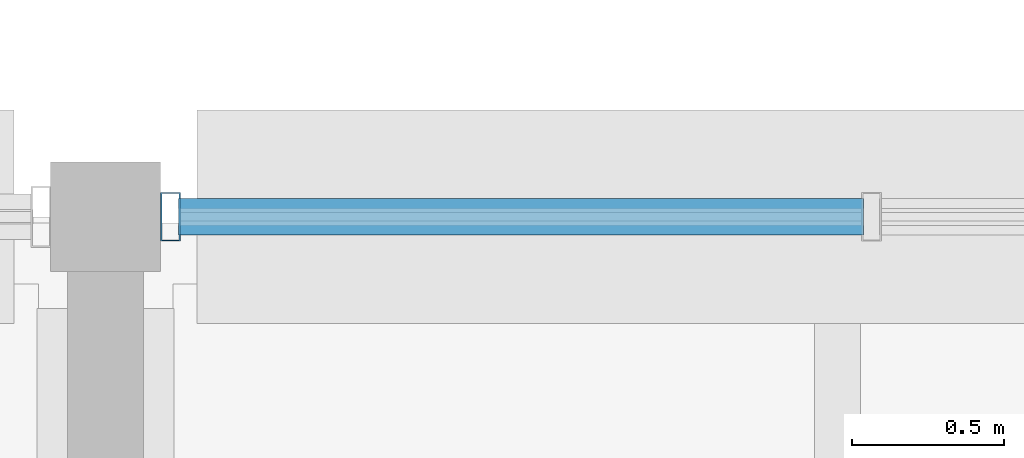
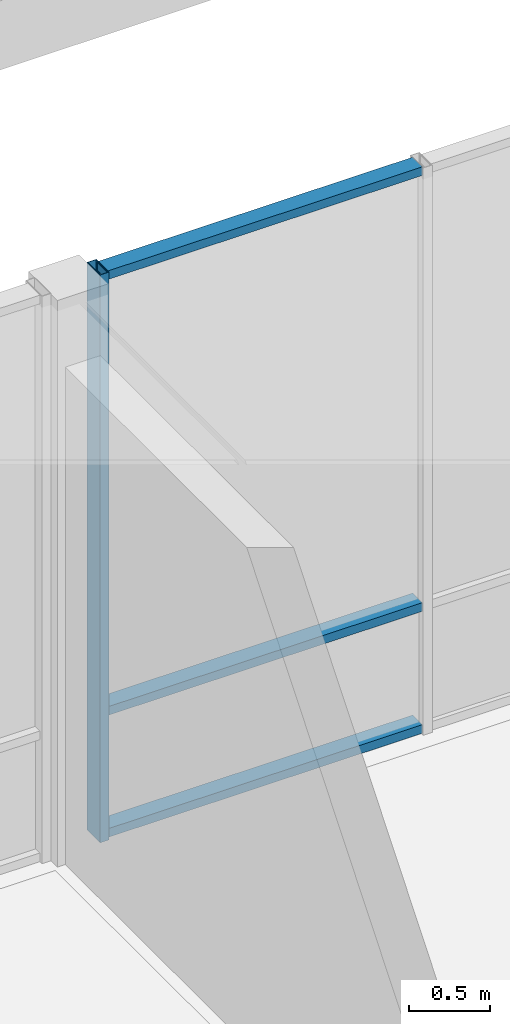
# One storey, part 59 of 146: 4 members, 1 element without a shape of its own.
"""IFC4 building model written with IfcOpenShell, lengths in metres."""

from ifc_helpers import new_model, si_unit, direction, frame, origin, origin_2d, place, context, subcontext, project, spatial, hollow_rectangle, extrude, material, material_profile, profile_set, type_object, element, aggregate, save


model = new_model("IFC4")

# Units and contexts
model_context = context("Model", 3, precision=1e-05, world=origin(), true_north=direction((0.0, 1.0)))
body_context = subcontext(model_context, "Body", "Model", "MODEL_VIEW")
ifc_project = project(units=[si_unit("LENGTHUNIT", "METRE"), si_unit("AREAUNIT", "SQUARE_METRE"), si_unit("VOLUMEUNIT", "CUBIC_METRE"), si_unit("PLANEANGLEUNIT", "RADIAN"), si_unit("MASSUNIT", "GRAM", prefix="KILO")], contexts=[model_context])

# Site, building, storey
site_placement = place(None, origin())
site = spatial("IfcSite", under=ifc_project, at=site_placement, CompositionType="ELEMENT")
building_placement = place(site_placement, origin())
building = spatial("IfcBuilding", under=site, at=building_placement, Name="Hawrajan Terrace Health Centre", CompositionType="ELEMENT")
storey_placement = place(building_placement, frame((0.0, 0.0, 4.5)))
storey = spatial("IfcBuildingStorey", under=building, at=storey_placement, Name="L01", CompositionType="ELEMENT", Elevation=4.5)

# Curtain wall, members
ifc_material_1 = material(Name="Anodized bronze aluminium and low-E solar glazing", Category="aluminium")
curtain_wall_type = type_object("IfcCurtainWallType", Name="CW_Terrace_SeriesK1", PredefinedType="USERDEFINED", material=ifc_material_1)
curtain_wall_placement = place(storey_placement, origin())
curtain_wall = element("IfcCurtainWall", 1, at=curtain_wall_placement, inside=storey, type_object=curtain_wall_type, Name="Curtain wall CW-L01-093", ObjectType="UNITISED CURTAIN WALL", PredefinedType="USERDEFINED")
ifc_material_2 = material(Name="Anodized bronze aluminium 6063-T6", Category="aluminium")
ifc_material_profile_1 = material_profile(ifc_material_2, hollow_rectangle(XDim=0.06494140625, YDim=0.159912109375, WallThickness=0.00390625, at=origin_2d()), Name="CW MUL 65x160")
ifc_profile_set_1 = profile_set([ifc_material_profile_1], Name="Anodized bronze aluminium 6063-T6")
member_type_1 = type_object("IfcMemberType", Name="CWMullion_65x160", PredefinedType="MULLION", material=ifc_profile_set_1)
member_1_placement = place(storey_placement, frame((81.612548828125, 18.60009765625, -0.0048828125), z_axis=(0.0, 0.0, 1.0), x_axis=(1.0, 0.0, 0.0)))
member_1 = element("IfcMember", 2, at=member_1_placement, type_object=member_type_1, Name="Mullion CW-L01-093-M1", PredefinedType="MULLION", context=body_context, shape_type="SweptSolid", body=[
    extrude(hollow_rectangle(XDim=0.06494140625, YDim=0.159912109375, WallThickness=0.00390625, at=origin_2d()), origin(), (0.0, 0.0, 1.0), 4.269775390625),
])
ifc_material_profile_2 = material_profile(ifc_material_2, hollow_rectangle(XDim=0.06494140625, YDim=0.1201171875, WallThickness=0.00341796875, at=origin_2d()), Name="CW TRN 65x120")
ifc_profile_set_2 = profile_set([ifc_material_profile_2], Name="Anodized bronze aluminium 6063-T6")
member_type_2 = type_object("IfcMemberType", Name="CWTransom_65x120", PredefinedType="USERDEFINED", material=ifc_profile_set_2)
member_2_placement = place(storey_placement, frame((81.638916015625, 18.60009765625, 0.032470703125), z_axis=(1.0, 0.0, 0.0), x_axis=(0.0, 0.0, 1.0)))
member_2 = element("IfcMember", 3, at=member_2_placement, type_object=member_type_2, Name="Transom CW-L01-093-T1-1", ObjectType="TRANSOM", PredefinedType="USERDEFINED", context=body_context, shape_type="SweptSolid", body=[
    extrude(hollow_rectangle(XDim=0.06494140625, YDim=0.1201171875, WallThickness=0.00341796875, at=origin_2d()), origin(), (0.0, 0.0, 1.0), 2.245849609375),
])
member_3_placement = place(storey_placement, frame((81.638916015625, 18.60009765625, 0.949951171875), z_axis=(1.0, 0.0, 0.0), x_axis=(0.0, 0.0, 1.0)))
member_3 = element("IfcMember", 4, at=member_3_placement, type_object=member_type_2, Name="Transom CW-L01-093-T1-2", ObjectType="TRANSOM", PredefinedType="USERDEFINED", context=body_context, shape_type="SweptSolid", body=[
    extrude(hollow_rectangle(XDim=0.06494140625, YDim=0.1201171875, WallThickness=0.00341796875, at=origin_2d()), origin(), (0.0, 0.0, 1.0), 2.245849609375),
])
member_4_placement = place(storey_placement, frame((81.638916015625, 18.60009765625, 4.2275390625), z_axis=(1.0, 0.0, 0.0), x_axis=(0.0, 0.0, 1.0)))
member_4 = element("IfcMember", 5, at=member_4_placement, type_object=member_type_2, Name="Transom CW-L01-093-T1-3", ObjectType="TRANSOM", PredefinedType="USERDEFINED", context=body_context, shape_type="SweptSolid", body=[
    extrude(hollow_rectangle(XDim=0.06494140625, YDim=0.1201171875, WallThickness=0.00341796875, at=origin_2d()), origin(), (0.0, 0.0, 1.0), 2.245849609375),
])
aggregate(curtain_wall, [member_1, member_2, member_3, member_4])

save(model, "model.ifc")
